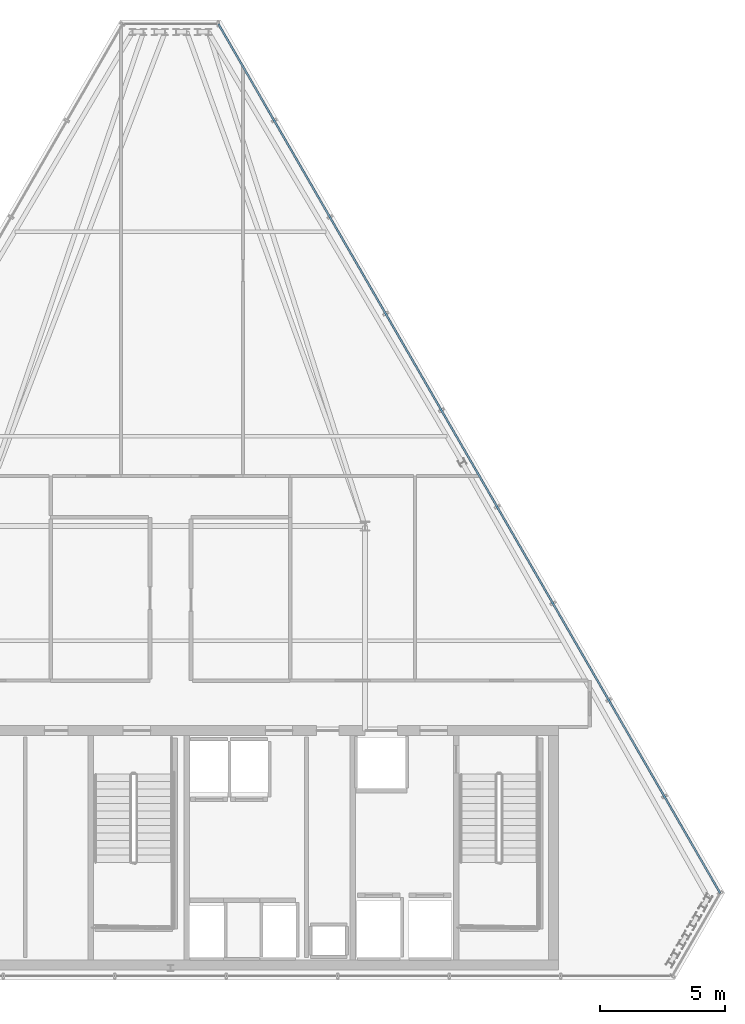
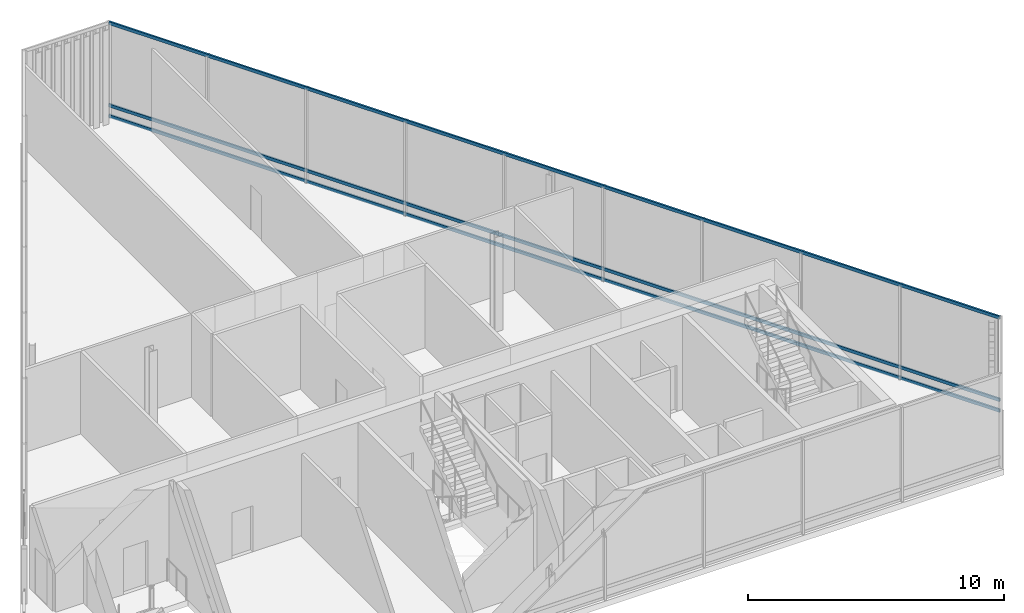
# One storey, part 16 of 25: 3 members, 1 element without a shape of its own.
"""IFC4 building model written with IfcOpenShell, lengths in metres."""

from ifc_helpers import new_model, si_unit, direction, frame, origin, origin_2d, place, context, subcontext, project, spatial, hollow_rectangle, extrude, material, layer, layer_set, material_profile, profile_set, type_object, element, aggregate, save


model = new_model("IFC4")

# Units and contexts
model_context = context("Model", 3, precision=1e-05, world=origin(), true_north=direction((0.0, 1.0)))
body_context = subcontext(model_context, "Body", "Model", "MODEL_VIEW")
ifc_project = project(units=[si_unit("LENGTHUNIT", "METRE"), si_unit("AREAUNIT", "SQUARE_METRE"), si_unit("VOLUMEUNIT", "CUBIC_METRE"), si_unit("PLANEANGLEUNIT", "RADIAN"), si_unit("MASSUNIT", "GRAM", prefix="KILO")], contexts=[model_context])

# Site, building, storey
site_placement = place(None, origin())
site = spatial("IfcSite", under=ifc_project, at=site_placement, CompositionType="ELEMENT")
building_placement = place(site_placement, origin())
building = spatial("IfcBuilding", under=site, at=building_placement, Name="Ndaravel Arena Tower", CompositionType="ELEMENT")
storey_placement = place(building_placement, frame((0.0, 0.0, 298.5)))
storey = spatial("IfcBuildingStorey", under=building, at=storey_placement, Name="L73", CompositionType="ELEMENT", Elevation=298.5)

# Curtain wall, members
ifc_material_1 = material(Name="Aluminium", Category="aluminium")
ifc_layer = layer(ifc_material_1, 0.179931640625)
ifc_layer_set = layer_set([ifc_layer], Name="Aluminium")
curtain_wall_type = type_object("IfcCurtainWallType", Name="CW-SYS-04", PredefinedType="NOTDEFINED", material=ifc_layer_set)
curtain_wall_placement = place(storey_placement, origin())
curtain_wall = element("IfcCurtainWall", 1, at=curtain_wall_placement, inside=storey, type_object=curtain_wall_type, Name="L73 Faceted Crystal Curtain Wall CW-L73-E03", PredefinedType="NOTDEFINED")
ifc_material_2 = material(Name="Aluminium", Category="aluminium")
ifc_material_profile = material_profile(ifc_material_2, hollow_rectangle(XDim=0.074951171875, YDim=0.14990234375, WallThickness=0.00390625, at=origin_2d()), Name="CW TRANSOM 75x150x4")
ifc_profile_set = profile_set([ifc_material_profile], Name="Aluminium")
member_type = type_object("IfcMemberType", Name="MEM-CW-TRN150", PredefinedType="USERDEFINED", material=ifc_profile_set)
member_1_placement = place(storey_placement, frame((64.034912109375, 8.485107421875, 0.0400390625), z_axis=(-0.499998418301, 0.866026316977, 0.0), x_axis=(-0.866026316977, -0.499998418301, 0.0)))
member_1 = element("IfcMember", 2, at=member_1_placement, type_object=member_type, Name="CW-L73-E03 Transom 01", ObjectType="TRANSOM", PredefinedType="USERDEFINED", context=body_context, shape_type="SweptSolid", body=[
    extrude(hollow_rectangle(XDim=0.074951171875, YDim=0.14990234375, WallThickness=0.00390625, at=origin_2d()), origin(), (0.0, 0.0, 1.0), 40.230224609375),
])
member_2_placement = place(storey_placement, frame((64.034912109375, 8.485107421875, 0.550048828125), z_axis=(-0.499998418301, 0.866026316977, 0.0), x_axis=(-0.866026316977, -0.499998418301, 0.0)))
member_2 = element("IfcMember", 3, at=member_2_placement, type_object=member_type, Name="CW-L73-E03 Transom 02", ObjectType="TRANSOM", PredefinedType="USERDEFINED", context=body_context, shape_type="SweptSolid", body=[
    extrude(hollow_rectangle(XDim=0.074951171875, YDim=0.14990234375, WallThickness=0.00390625, at=origin_2d()), origin(), (0.0, 0.0, 1.0), 40.230224609375),
])
member_3_placement = place(storey_placement, frame((64.034912109375, 8.485107421875, 4.47998046875), z_axis=(-0.499998418301, 0.866026316977, 0.0), x_axis=(-0.866026316977, -0.499998418301, 0.0)))
member_3 = element("IfcMember", 4, at=member_3_placement, type_object=member_type, Name="CW-L73-E03 Transom 03", ObjectType="TRANSOM", PredefinedType="USERDEFINED", context=body_context, shape_type="SweptSolid", body=[
    extrude(hollow_rectangle(XDim=0.074951171875, YDim=0.14990234375, WallThickness=0.00390625, at=origin_2d()), origin(), (0.0, 0.0, 1.0), 40.230224609375),
])
aggregate(curtain_wall, [member_1, member_2, member_3])

save(model, "model.ifc")
